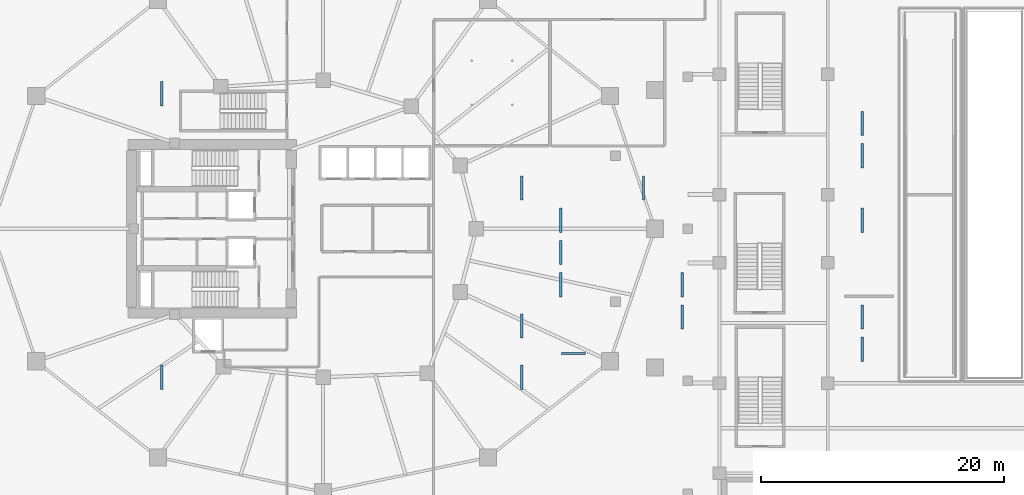
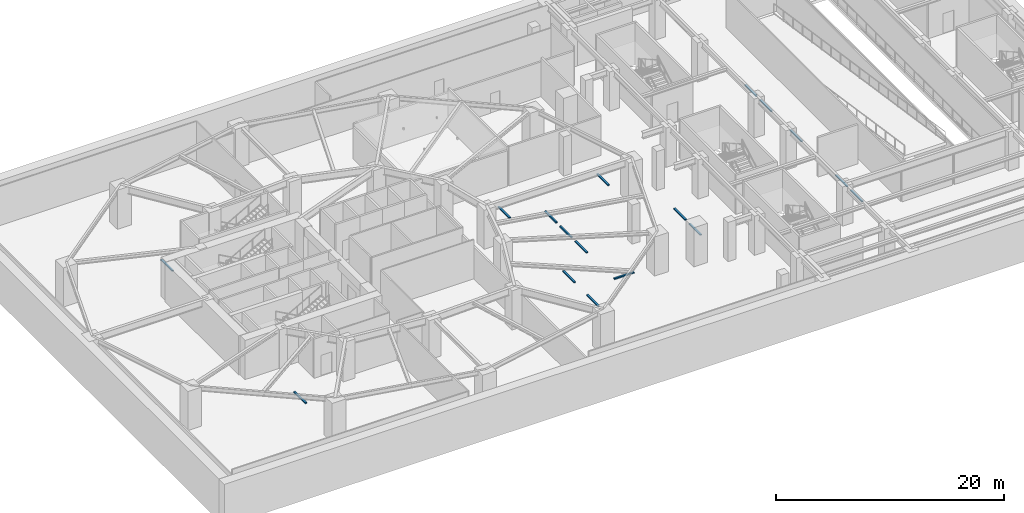
# One storey, part 11 of 16: 17 discrete accessories.
"""IFC4 building model written with IfcOpenShell, lengths in metres."""

from ifc_helpers import new_model, si_unit, direction, frame, origin, origin_2d, place, context, subcontext, project, spatial, rectangle, extrude, material, type_object, element, save


model = new_model("IFC4")

# Units and contexts
model_context = context("Model", 3, precision=1e-05, world=origin(), true_north=direction((0.0, 1.0)))
body_context = subcontext(model_context, "Body", "Model", "MODEL_VIEW")
ifc_project = project(units=[si_unit("LENGTHUNIT", "METRE"), si_unit("AREAUNIT", "SQUARE_METRE"), si_unit("VOLUMEUNIT", "CUBIC_METRE"), si_unit("PLANEANGLEUNIT", "RADIAN"), si_unit("MASSUNIT", "GRAM", prefix="KILO")], contexts=[model_context])

# Site, building, storey
site_placement = place(None, origin())
site = spatial("IfcSite", under=ifc_project, at=site_placement, CompositionType="ELEMENT")
building_placement = place(site_placement, origin())
building = spatial("IfcBuilding", under=site, at=building_placement, Name="Kolvaren Gate Tower and Convention Centre", CompositionType="ELEMENT")
storey_placement = place(building_placement, frame((0.0, 0.0, -9.0)))
storey = spatial("IfcBuildingStorey", under=building, at=storey_placement, Name="B2", CompositionType="ELEMENT", Elevation=-9.0)

# Discrete accessories
ifc_material = material(Name="Concrete C40/50", Category="concrete")
discrete_accessory_type = type_object("IfcDiscreteAccessoryType", Name="ARCH-ACC-PARKING-BAY", PredefinedType="USERDEFINED", material=ifc_material)
for number, where, z_axis, x_axis, name in (
    (1, (16.85009765625, 14.800048828125, 0.0), (0.0, 0.0, 1.0), (0.0, 1.0, 0.0), "Accessible Parking Bay Wheel Stop BAY-B2-001"),
    (2, (46.449951171875, 14.800048828125, 0.0), (0.0, 0.0, 1.0), (0.0, 1.0, 0.0), "Accessible Parking Bay Wheel Stop BAY-B2-002"),
    (3, (46.449951171875, 19.0, 0.0), (0.0, 0.0, 1.0), (0.0, 1.0, 0.0), "Accessible Parking Bay Wheel Stop BAY-B2-003"),
    (4, (16.85009765625, 38.10009765625, 0.0), (0.0, 0.0, 1.0), (0.0, 1.0, 0.0), "Parking Bay Wheel Stop BAY-B2-004"),
    (5, (46.449951171875, 30.35009765625, 0.0), (0.0, 0.0, 1.0), (0.0, 1.0, 0.0), "Parking Bay Wheel Stop BAY-B2-005"),
    (6, (49.64990234375, 22.39990234375, 0.0), (0.0, 0.0, 1.0), (0.0, 1.0, 0.0), "Parking Bay Wheel Stop BAY-B2-006"),
    (7, (49.64990234375, 25.050048828125, 0.0), (0.0, 0.0, 1.0), (0.0, 1.0, 0.0), "Parking Bay Wheel Stop BAY-B2-007"),
    (8, (49.64990234375, 27.699951171875, 0.0), (0.0, 0.0, 1.0), (0.0, 1.0, 0.0), "Parking Bay Wheel Stop BAY-B2-008"),
    (9, (56.449951171875, 30.35009765625, 0.0), (0.0, 0.0, 1.0), (0.0, 1.0, 0.0), "Parking Bay Wheel Stop BAY-B2-009"),
    (10, (59.64990234375, 19.75, 0.0), (0.0, 0.0, 1.0), (0.0, 1.0, 0.0), "Parking Bay Wheel Stop BAY-B2-010"),
    (11, (59.64990234375, 22.39990234375, 0.0), (0.0, 0.0, 1.0), (0.0, 1.0, 0.0), "Parking Bay Wheel Stop BAY-B2-011"),
    (12, (74.449951171875, 17.10009765625, 0.0), (0.0, 0.0, 1.0), (0.0, 1.0, 0.0), "Parking Bay Wheel Stop BAY-B2-012"),
    (13, (74.449951171875, 19.75, 0.0), (0.0, 0.0, 1.0), (0.0, 1.0, 0.0), "Parking Bay Wheel Stop BAY-B2-013"),
    (14, (74.449951171875, 27.699951171875, 0.0), (0.0, 0.0, 1.0), (0.0, 1.0, 0.0), "Parking Bay Wheel Stop BAY-B2-014"),
    (15, (74.449951171875, 33.0, 0.0), (0.0, 0.0, 1.0), (0.0, 1.0, 0.0), "Parking Bay Wheel Stop BAY-B2-015"),
    (16, (74.449951171875, 35.64990234375, 0.0), (0.0, 0.0, 1.0), (0.0, 1.0, 0.0), "Parking Bay Wheel Stop BAY-B2-016"),
    (17, (50.699951171875, 16.75, 0.0), (0.0, 0.0, 1.0), (1.0, 0.0, 0.0), "Parking Bay Wheel Stop BAY-B2-017"),
):
    element("IfcDiscreteAccessory", number, at=place(storey_placement, frame(where, z_axis=z_axis, x_axis=x_axis)), inside=storey, type_object=discrete_accessory_type, Name=name, ObjectType="WHEEL_STOP", PredefinedType="USERDEFINED", context=body_context, shape_type="SweptSolid", body=[
        extrude(rectangle(XDim=2.0, YDim=0.179931640625, at=origin_2d()), origin(), (0.0, 0.0, 1.0), 0.1201171875),
    ])

save(model, "model.ifc")
